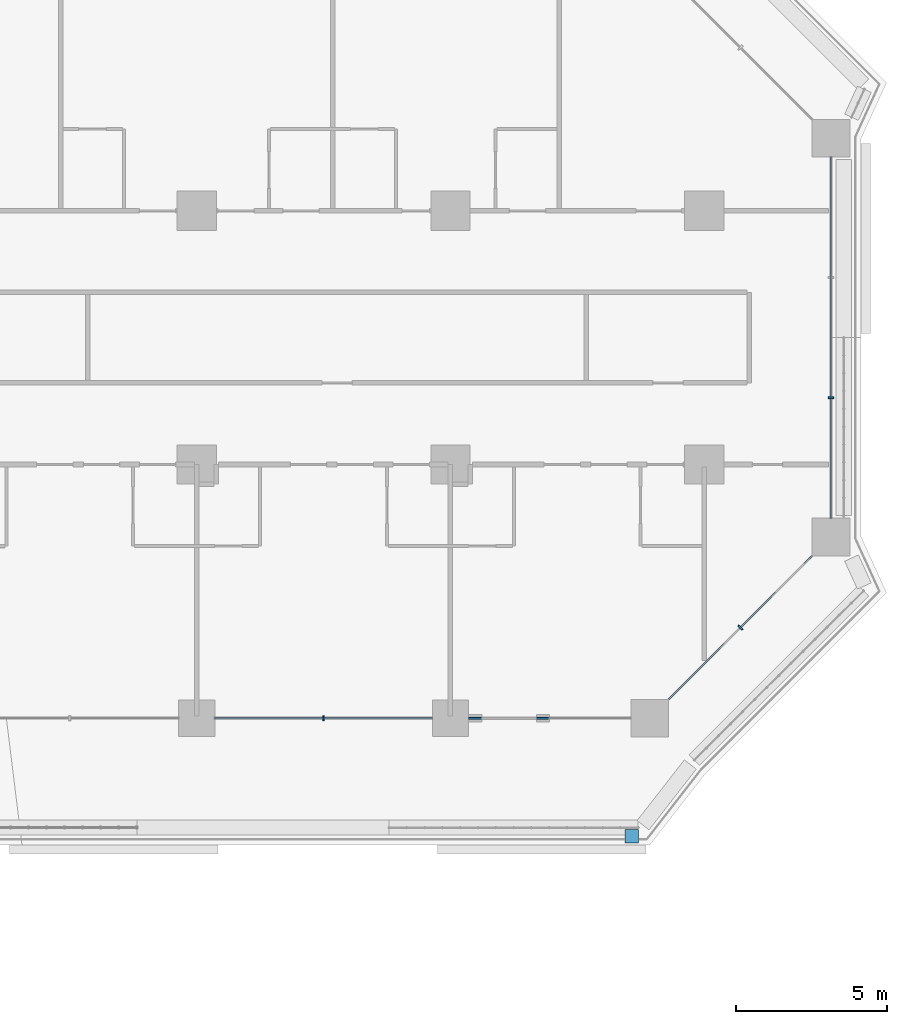
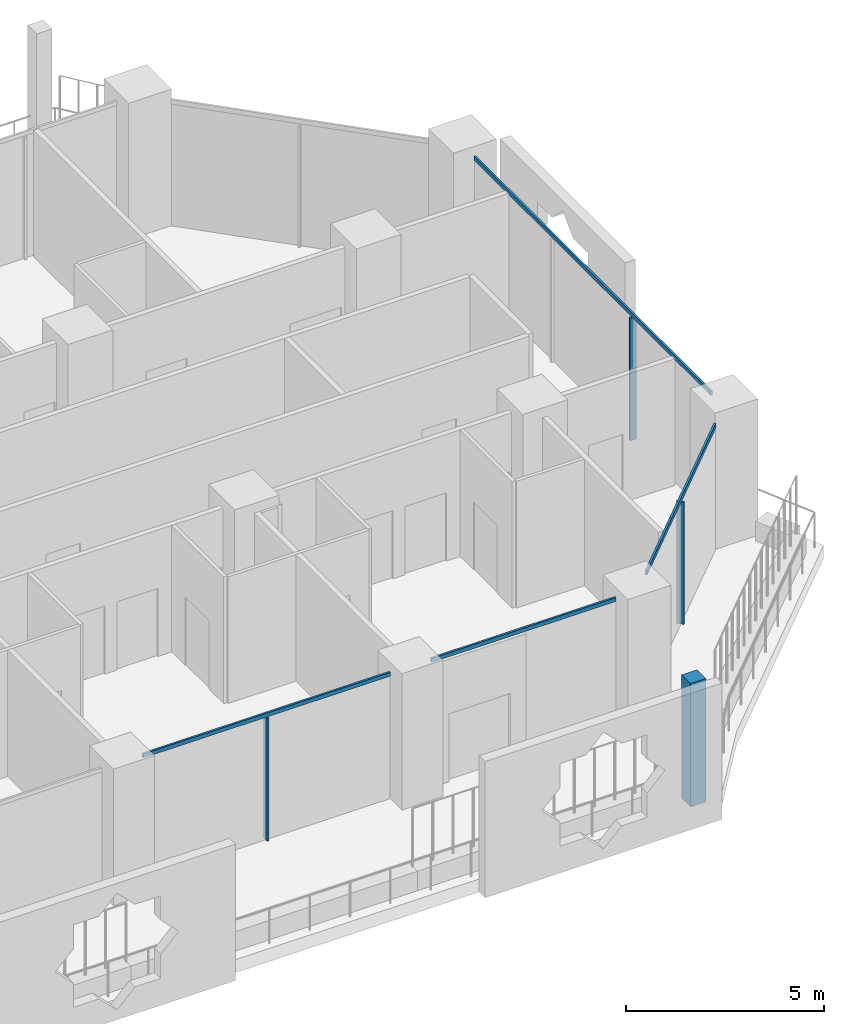
# One storey, part 7 of 29: 8 members, 4 elements without a shape of their own.
"""IFC4 building model written with IfcOpenShell, lengths in metres."""

from ifc_helpers import new_model, si_unit, direction, frame, origin, origin_2d, place, context, subcontext, project, spatial, rectangle, extrude, material, layer, layer_set, material_profile, profile_set, type_object, element, aggregate, save


model = new_model("IFC4")

# Units and contexts
model_context = context("Model", 3, precision=1e-05, world=origin(), true_north=direction((0.0, 1.0)))
body_context = subcontext(model_context, "Body", "Model", "MODEL_VIEW")
ifc_project = project(units=[si_unit("LENGTHUNIT", "METRE"), si_unit("AREAUNIT", "SQUARE_METRE"), si_unit("VOLUMEUNIT", "CUBIC_METRE"), si_unit("PLANEANGLEUNIT", "RADIAN"), si_unit("MASSUNIT", "GRAM", prefix="KILO")], contexts=[model_context])

# Site, building, storey
site_placement = place(None, origin())
site = spatial("IfcSite", under=ifc_project, at=site_placement, CompositionType="ELEMENT")
building_placement = place(site_placement, origin())
building = spatial("IfcBuilding", under=site, at=building_placement, Name="Kawkab Arch Medical Tower", CompositionType="ELEMENT")
storey_placement = place(building_placement, frame((0.0, 0.0, 60.199951171875)))
storey = spatial("IfcBuildingStorey", under=building, at=storey_placement, Name="L13", CompositionType="ELEMENT", Elevation=60.199951171875)

# Curtain wall, member
ifc_material_1 = material(Name="Bronze anodised aluminium curtain wall frame", Category="aluminium")
ifc_layer_1 = layer(ifc_material_1, 0.159912109375)
ifc_layer_set_1 = layer_set([ifc_layer_1], Name="Bronze anodised aluminium curtain wall frame")
curtain_wall_type_1 = type_object("IfcCurtainWallType", Name="CW1 ward curtain wall", PredefinedType="NOTDEFINED", material=ifc_layer_set_1)
placement = place(storey_placement, origin())
curtain_wall_1 = element("IfcCurtainWall", 1, at=placement, inside=storey, type_object=curtain_wall_type_1, Name="CW1 Ward curtain wall R07", PredefinedType="NOTDEFINED")
ifc_material_2 = material(Name="Bronze anodised aluminium curtain wall frame", Category="aluminium")
ifc_material_profile_1 = material_profile(ifc_material_2, rectangle(XDim=0.179931640625, YDim=0.06005859375, at=origin_2d()), Name="AL 60x180")
ifc_profile_set_1 = profile_set([ifc_material_profile_1], Name="Bronze anodised aluminium curtain wall frame")
member_type_1 = type_object("IfcMemberType", Name="CW1 mullion 60 x 180", PredefinedType="MULLION", material=ifc_profile_set_1)
member_1_placement = place(storey_placement, frame((63.0, -25.199951171875, 0.0), z_axis=(0.0, 0.0, 1.0), x_axis=(0.0, 1.0, 0.0)))
member_1 = element("IfcMember", 2, at=member_1_placement, type_object=member_type_1, Name="CW1 mullion 4.1", PredefinedType="MULLION", context=body_context, shape_type="SweptSolid", body=[
    extrude(rectangle(XDim=0.179931640625, YDim=0.06005859375, at=origin_2d()), origin(), (0.0, 0.0, 1.0), 3.780029296875),
])

curtain_wall_2 = element("IfcCurtainWall", 3, at=placement, inside=storey, type_object=curtain_wall_type_1, Name="CW1 Ward curtain wall R09", PredefinedType="NOTDEFINED")
member_2_placement = place(storey_placement, frame((79.800048828125, -14.591552734375, 0.0), z_axis=(0.0, 0.0, 1.0), x_axis=(-1.0, 0.0, 0.0)))
member_2 = element("IfcMember", 4, at=member_2_placement, type_object=member_type_1, Name="CW1 mullion 1.1", PredefinedType="MULLION", context=body_context, shape_type="SweptSolid", body=[
    extrude(rectangle(XDim=0.179931640625, YDim=0.06005859375, at=origin_2d()), origin(), (0.0, 0.0, 1.0), 3.780029296875),
])

# Member
ifc_material_3 = material(Name="Bronze anodised aluminium curtain wall frame", Category="aluminium")
ifc_material_profile_2 = material_profile(ifc_material_3, rectangle(XDim=0.06005859375, YDim=0.1201171875, at=origin_2d()), Name="AL 60x120")
ifc_profile_set_2 = profile_set([ifc_material_profile_2], Name="Bronze anodised aluminium curtain wall frame")
member_type_2 = type_object("IfcMemberType", Name="CW1 transom 120 x 60", PredefinedType="USERDEFINED", material=ifc_profile_set_2)
member_3_placement = place(storey_placement, frame((59.39990234375, -25.199951171875, 3.840087890625), z_axis=(1.0, 0.0, 0.0), x_axis=(0.0, 1.0, 0.0)))
member_3 = element("IfcMember", 5, at=member_3_placement, type_object=member_type_2, Name="CW1 transom 4", ObjectType="TRANSOM", PredefinedType="USERDEFINED", context=body_context, shape_type="SweptSolid", body=[
    extrude(rectangle(XDim=0.06005859375, YDim=0.1201171875, at=origin_2d()), origin(), (0.0, 0.0, 1.0), 7.2001953125),
])

member_4_placement = place(storey_placement, frame((67.800048828125, -25.199951171875, 3.840087890625), z_axis=(1.0, 0.0, 0.0), x_axis=(0.0, 1.0, 0.0)))
member_4 = element("IfcMember", 6, at=member_4_placement, type_object=member_type_2, Name="CW1 transom 5", ObjectType="TRANSOM", PredefinedType="USERDEFINED", context=body_context, shape_type="SweptSolid", body=[
    extrude(rectangle(XDim=0.06005859375, YDim=0.1201171875, at=origin_2d()), origin(), (0.0, 0.0, 1.0), 5.375),
])

aggregate(curtain_wall_1, [member_3, member_1, member_4])

member_5_placement = place(storey_placement, frame((79.800048828125, -18.574951171875, 3.840087890625), z_axis=(0.0, 1.0, 0.0), x_axis=(-1.0, 0.0, 0.0)))
member_5 = element("IfcMember", 7, at=member_5_placement, type_object=member_type_2, Name="CW1 transom 1", ObjectType="TRANSOM", PredefinedType="USERDEFINED", context=body_context, shape_type="SweptSolid", body=[
    extrude(rectangle(XDim=0.06005859375, YDim=0.1201171875, at=origin_2d()), origin(), (0.0, 0.0, 1.0), 11.949951171875),
])

aggregate(curtain_wall_2, [member_5, member_2])

# Curtain wall, members
ifc_material_4 = material(Name="Bronze anodised aluminium curtain wall frame", Category="aluminium")
ifc_layer_2 = layer(ifc_material_4, 0.159912109375)
ifc_layer_set_2 = layer_set([ifc_layer_2], Name="Bronze anodised aluminium curtain wall frame")
curtain_wall_type_2 = type_object("IfcCurtainWallType", Name="CW2 chamfer curtain wall", PredefinedType="NOTDEFINED", material=ifc_layer_set_2)
curtain_wall_3 = element("IfcCurtainWall", 8, at=placement, inside=storey, type_object=curtain_wall_type_2, Name="CW2 Chamfer curtain wall R08", PredefinedType="NOTDEFINED")
ifc_material_5 = material(Name="Bronze anodised aluminium curtain wall frame", Category="aluminium")
ifc_material_profile_3 = material_profile(ifc_material_5, rectangle(XDim=0.199951171875, YDim=0.06005859375, at=origin_2d()), Name="AL 60x200")
ifc_profile_set_3 = profile_set([ifc_material_profile_3], Name="Bronze anodised aluminium curtain wall frame")
member_type_3 = type_object("IfcMemberType", Name="CW2 mullion 60 x 200", PredefinedType="MULLION", material=ifc_profile_set_3)
member_6_placement = place(storey_placement, frame((76.800048828125, -22.199951171875, 0.0), z_axis=(0.0, 0.0, 1.0), x_axis=(-0.707106781187, 0.707106781187, 0.0)))
member_6 = element("IfcMember", 9, at=member_6_placement, type_object=member_type_3, Name="CW2 mullion 1.1", PredefinedType="MULLION", context=body_context, shape_type="SweptSolid", body=[
    extrude(rectangle(XDim=0.199951171875, YDim=0.06005859375, at=origin_2d()), origin(), (0.0, 0.0, 1.0), 3.760009765625),
])
ifc_material_6 = material(Name="Bronze anodised aluminium curtain wall frame", Category="aluminium")
ifc_material_profile_4 = material_profile(ifc_material_6, rectangle(XDim=0.06005859375, YDim=0.139892578125, at=origin_2d()), Name="AL 60x140")
ifc_profile_set_4 = profile_set([ifc_material_profile_4], Name="Bronze anodised aluminium curtain wall frame")
member_type_4 = type_object("IfcMemberType", Name="CW2 transom 140 x 60", PredefinedType="USERDEFINED", material=ifc_profile_set_4)
member_7_placement = place(storey_placement, frame((74.425048828125, -24.574951171875, 3.830078125), z_axis=(0.707106781187, 0.707106781187, 0.0), x_axis=(-0.707106781187, 0.707106781187, 0.0)))
member_7 = element("IfcMember", 10, at=member_7_placement, type_object=member_type_4, Name="CW2 transom 1", ObjectType="TRANSOM", PredefinedType="USERDEFINED", context=body_context, shape_type="SweptSolid", body=[
    extrude(rectangle(XDim=0.06005859375, YDim=0.139892578125, at=origin_2d()), origin(), (0.0, 0.0, 1.0), 6.717529296875),
])
aggregate(curtain_wall_3, [member_7, member_6])

# Curtain wall, member
ifc_material_7 = material(Name="Bronze anodised aluminium climber frame, planted", Category="aluminium")
ifc_layer_3 = layer(ifc_material_7, 0.449951171875)
ifc_layer_set_3 = layer_set([ifc_layer_3], Name="Bronze anodised aluminium climber frame, planted")
curtain_wall_type_3 = type_object("IfcCurtainWallType", Name="Planted climber frame", PredefinedType="NOTDEFINED", material=ifc_layer_set_3)
curtain_wall_4 = element("IfcCurtainWall", 11, at=placement, inside=storey, type_object=curtain_wall_type_3, Name="Planted climber frame L13", PredefinedType="NOTDEFINED")
ifc_material_8 = material(Name="Bronze anodised aluminium climber frame, planted", Category="aluminium")
ifc_material_profile_5 = material_profile(ifc_material_8, rectangle(XDim=0.449951171875, YDim=0.449951171875, at=origin_2d()), Name="Post 450x450")
ifc_profile_set_5 = profile_set([ifc_material_profile_5], Name="Bronze anodised aluminium climber frame, planted")
member_type_5 = type_object("IfcMemberType", Name="Planted climber post 450 x 450", PredefinedType="MULLION", material=ifc_profile_set_5)
member_8_placement = place(storey_placement, frame((73.202880859375, -29.10009765625, 0.0), z_axis=(0.0, 0.0, 1.0), x_axis=(1.0, 0.0, 0.0)))
member_8 = element("IfcMember", 12, at=member_8_placement, type_object=member_type_5, Name="Planted climber post L13.LOG-01-01.5", PredefinedType="MULLION", context=body_context, shape_type="SweptSolid", body=[
    extrude(rectangle(XDim=0.449951171875, YDim=0.449951171875, at=origin_2d()), origin(), (0.0, 0.0, 1.0), 3.800048828125),
])
aggregate(curtain_wall_4, [member_8])

save(model, "model.ifc")
